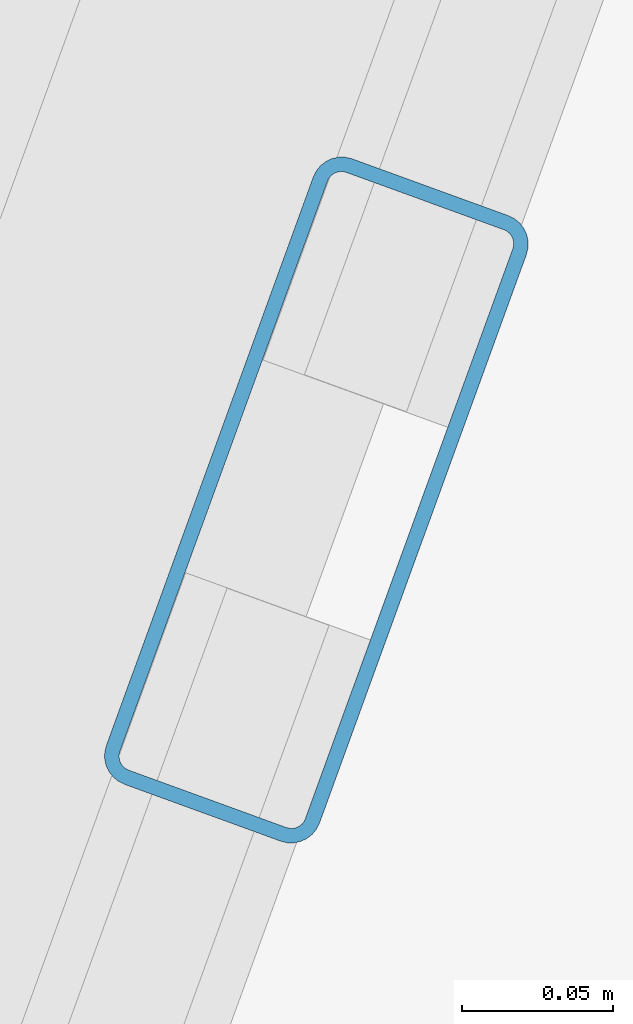
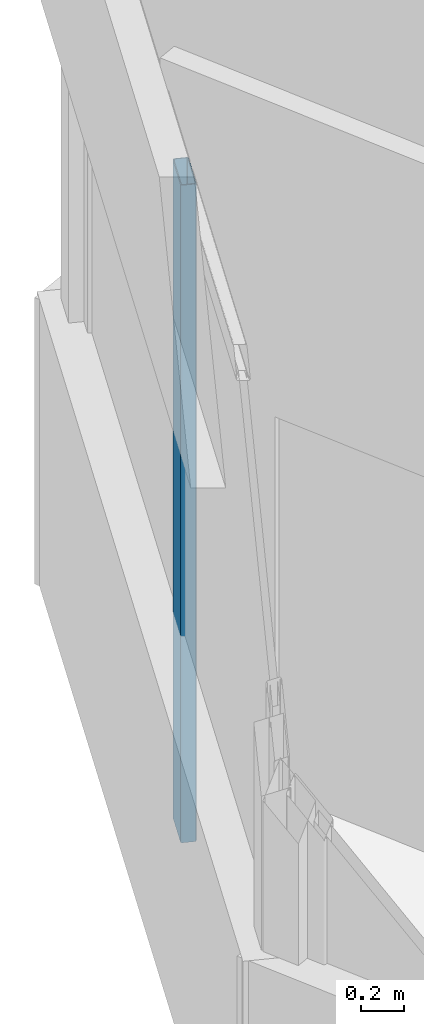
# One storey, part 5 of 16: 1 member, 1 element without a shape of its own.
"""IFC4 building model written with IfcOpenShell, lengths in metres."""

from ifc_helpers import new_model, si_unit, direction, frame, origin, origin_2d, place, context, subcontext, project, spatial, hollow_rectangle, extrude, source, transform, mapped, material, material_profile, profile_set, type_object, element, aggregate, save


model = new_model("IFC4")

# Units and contexts
model_context = context("Model", 3, precision=1e-05, world=origin(), true_north=direction((0.0, 1.0)))
body_context = subcontext(model_context, "Body", "Model", "MODEL_VIEW")
ifc_project = project(units=[si_unit("LENGTHUNIT", "METRE"), si_unit("AREAUNIT", "SQUARE_METRE"), si_unit("VOLUMEUNIT", "CUBIC_METRE"), si_unit("PLANEANGLEUNIT", "RADIAN"), si_unit("MASSUNIT", "GRAM", prefix="KILO")], contexts=[model_context])

# Site, building, storey
site_placement = place(None, origin())
site = spatial("IfcSite", under=ifc_project, at=site_placement, CompositionType="ELEMENT")
building_placement = place(site_placement, origin())
building = spatial("IfcBuilding", under=site, at=building_placement, Name="Torre Montelarca", CompositionType="ELEMENT")
storey_placement = place(building_placement, frame((0.0, 0.0, 345.0)))
storey = spatial("IfcBuildingStorey", under=building, at=storey_placement, Name="L78", CompositionType="ELEMENT", Elevation=345.0)

# Curtain wall, member
ifc_material_1 = material(Name="Insulated low-E laminated glass", Category="glass")
curtain_wall_type = type_object("IfcCurtainWallType", Name="CW-SYS-Z4", PredefinedType="USERDEFINED", material=ifc_material_1)
curtain_wall_placement = place(storey_placement, origin())
curtain_wall = element("IfcCurtainWall", 1, at=curtain_wall_placement, inside=storey, type_object=curtain_wall_type, Name="L78 Curtain Wall Run CW-T3-L78-E11-B1", ObjectType="UNITISED GLAZING", PredefinedType="USERDEFINED")
ifc_material_2 = material(Name="Anodised aluminium AA 6063-T6", Category="aluminium")
ifc_material_profile = material_profile(ifc_material_2, hollow_rectangle(XDim=0.074951171875, YDim=0.219970703125, WallThickness=0.0048828125, InnerFilletRadius=0.0048828125, OuterFilletRadius=0.010009765625, at=origin_2d()), Name="ALU75X220X5", Category="aluminium")
ifc_profile_set = profile_set([ifc_material_profile], Name="Anodised aluminium AA 6063-T6")
member_type = type_object("IfcMemberType", Name="CWM-ALU220", PredefinedType="MULLION", material=ifc_profile_set)
shared_shape = source(origin(), body_context, "Body", "SweptSolid", [
    extrude(hollow_rectangle(XDim=0.074951171875, YDim=0.219970703125, WallThickness=0.0048828125, InnerFilletRadius=0.0048828125, OuterFilletRadius=0.010009765625, at=origin_2d()), origin(), (0.0, 0.0, 1.0), 3.719970703125),
])
member_placement = place(storey_placement, frame((0.171875, 39.386474609375, 0.0), z_axis=(0.0, 0.0, 1.0), x_axis=(0.939694365175, -0.342015350618, 0.0)))
member = element("IfcMember", 2, at=member_placement, type_object=member_type, Name="CW mullion 2", PredefinedType="MULLION", context=body_context, shape_type="MappedRepresentation", body=[
    mapped(shared_shape, transform((0.0, 0.0, 0.0), scale=1.0)),
])
aggregate(curtain_wall, [member])

save(model, "model.ifc")
